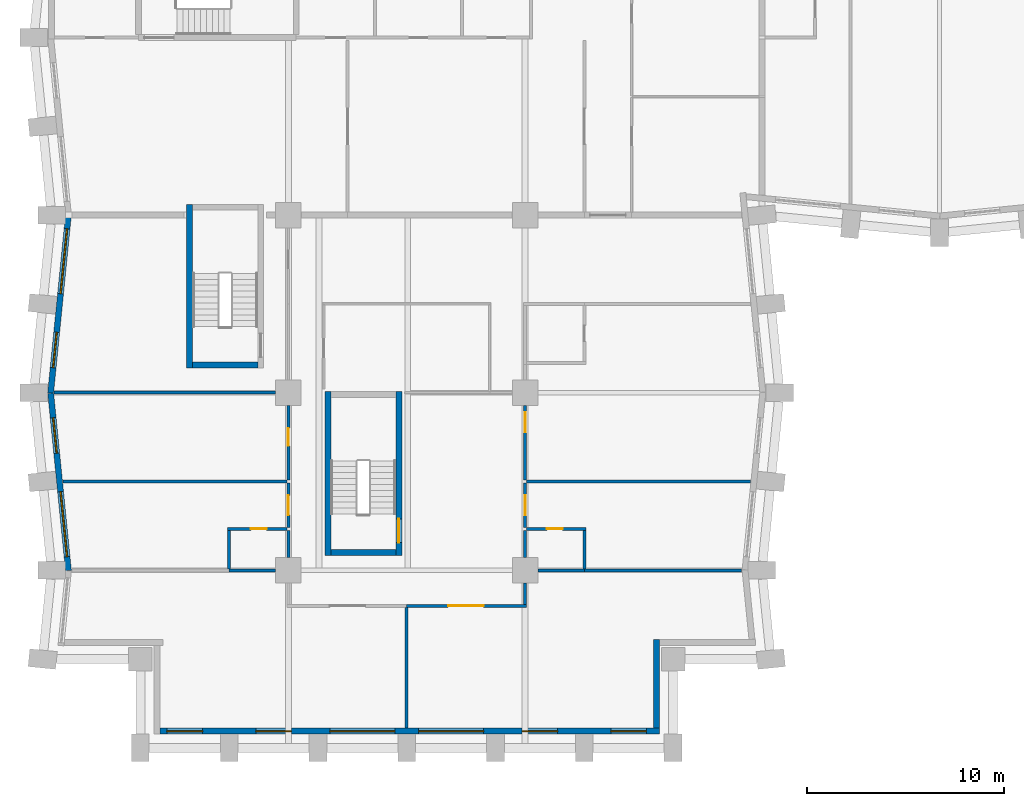
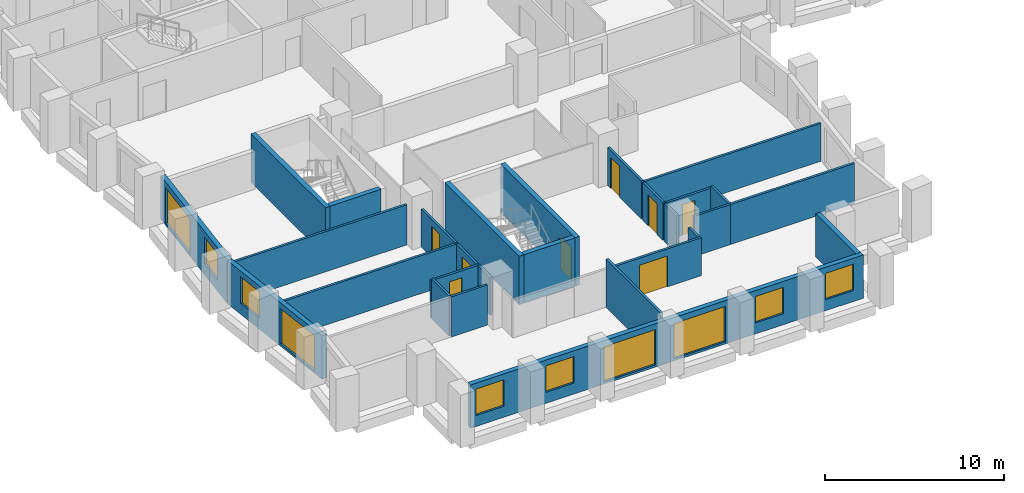
# One storey, part 3 of 12: 28 walls, 10 windows, 8 doors, 18 openings.
"""IFC4 building model written with IfcOpenShell, lengths in metres."""

from ifc_helpers import new_model, si_unit, direction, frame, frame_2d, origin, place, context, subcontext, project, spatial, rectangle, extrude, material, layer, layer_set, type_object, element, fill, save


model = new_model("IFC4")

# Units and contexts
model_context = context("Model", 3, precision=1e-05, world=origin(), true_north=direction((0.0, 1.0)))
body_context = subcontext(model_context, "Body", "Model", "MODEL_VIEW")
ifc_project = project(units=[si_unit("LENGTHUNIT", "METRE"), si_unit("AREAUNIT", "SQUARE_METRE"), si_unit("VOLUMEUNIT", "CUBIC_METRE"), si_unit("PLANEANGLEUNIT", "RADIAN"), si_unit("MASSUNIT", "GRAM", prefix="KILO")], contexts=[model_context])

# Site, building, storey
site_placement = place(None, origin())
site = spatial("IfcSite", under=ifc_project, at=site_placement, CompositionType="ELEMENT")
building_placement = place(site_placement, origin())
building = spatial("IfcBuilding", under=site, at=building_placement, Name="Brondeck Convention Tower", CompositionType="ELEMENT")
storey_placement = place(building_placement, frame((0.0, 0.0, 59.10009765625)))
storey = spatial("IfcBuildingStorey", under=building, at=storey_placement, Name="L12", CompositionType="ELEMENT", Elevation=59.10009765625)

# Wall, openings, windows
ifc_material_1 = material(Name="Precast concrete C50/60 bronze finish", Category="concrete")
ifc_layer_1 = layer(ifc_material_1, 0.070068359375, Name="Bronze precast facing")
ifc_material_2 = material(Name="Mineral wool")
ifc_layer_2 = layer(ifc_material_2, 0.159912109375, Name="Insulation")
ifc_material_3 = material(Name="Concrete C35/45", Category="concrete")
ifc_layer_3 = layer(ifc_material_3, 0.070068359375, Name="Backing")
ifc_layer_set_1 = layer_set([ifc_layer_1, ifc_layer_2, ifc_layer_3], Name="External infill wall, precast concrete C50/60 bronze facing")
wall_type_1 = type_object("IfcWallType", Name="External infill wall, precast concrete C50/60 bronze facing", PredefinedType="SOLIDWALL", material=ifc_layer_set_1)
wall_1_placement = place(storey_placement, frame((30.800048828125, 0.85009765625, 0.0), z_axis=(0.0, 0.0, 1.0), x_axis=(-1.0, 0.0, 0.0)))
wall_1 = element("IfcWall", 1, at=wall_1_placement, inside=storey, type_object=wall_type_1, Name="ENV-EW-L12-P0-B-S0-01", PredefinedType="SOLIDWALL", context=body_context, shape_type="SweptSolid", body=[
    extrude(rectangle(XDim=25.300048828125, YDim=0.300048828125, at=frame_2d((12.64990234375, 0.0))), origin(), (0.0, 0.0, 1.0), 2.949951171875),
])
opening_1_placement = place(wall_1_placement, frame((0.64990234375, 0.0, 0.75)))
opening_1 = element("IfcOpeningElement", 2, at=opening_1_placement, cuts=wall_1, Name="Opening W10", PredefinedType="OPENING", context=body_context, shape_type="SweptSolid", body=[
    extrude(rectangle(XDim=1.800048828125, YDim=1.800048828125, at=frame_2d((0.89990234375, 0.89990234375))), frame((0.0, 0.159912109375, 0.0), z_axis=(0.0, -1.0, 0.0), x_axis=(1.0, 0.0, 0.0)), (0.0, 0.0, 1.0), 0.320068359375),
])
opening_2_placement = place(wall_1_placement, frame((5.14990234375, 0.0, 0.75)))
opening_2 = element("IfcOpeningElement", 3, at=opening_2_placement, cuts=wall_1, Name="Opening W10", PredefinedType="OPENING", context=body_context, shape_type="SweptSolid", body=[
    extrude(rectangle(XDim=1.800048828125, YDim=1.800048828125, at=frame_2d((0.89990234375, 0.89990234375))), frame((0.0, 0.159912109375, 0.0), z_axis=(0.0, -1.0, 0.0), x_axis=(1.0, 0.0, 0.0)), (0.0, 0.0, 1.0), 0.320068359375),
])
opening_3_placement = place(wall_1_placement, frame((8.89990234375, 0.0, 0.14990234375)))
opening_3 = element("IfcOpeningElement", 4, at=opening_3_placement, cuts=wall_1, Name="Opening W9", PredefinedType="OPENING", context=body_context, shape_type="SweptSolid", body=[
    extrude(rectangle(XDim=3.300048828125, YDim=2.39990234375, at=frame_2d((1.64990234375, 1.199951171875))), frame((0.0, 0.159912109375, 0.0), z_axis=(0.0, -1.0, 0.0), x_axis=(1.0, 0.0, 0.0)), (0.0, 0.0, 1.0), 0.320068359375),
])
opening_4_placement = place(wall_1_placement, frame((13.39990234375, 0.0, 0.14990234375)))
opening_4 = element("IfcOpeningElement", 5, at=opening_4_placement, cuts=wall_1, Name="Opening W9", PredefinedType="OPENING", context=body_context, shape_type="SweptSolid", body=[
    extrude(rectangle(XDim=3.300048828125, YDim=2.39990234375, at=frame_2d((1.64990234375, 1.199951171875))), frame((0.0, 0.159912109375, 0.0), z_axis=(0.0, -1.0, 0.0), x_axis=(1.0, 0.0, 0.0)), (0.0, 0.0, 1.0), 0.320068359375),
])
opening_5_placement = place(wall_1_placement, frame((18.64990234375, 0.0, 0.75)))
opening_5 = element("IfcOpeningElement", 6, at=opening_5_placement, cuts=wall_1, Name="Opening W10", PredefinedType="OPENING", context=body_context, shape_type="SweptSolid", body=[
    extrude(rectangle(XDim=1.800048828125, YDim=1.800048828125, at=frame_2d((0.89990234375, 0.89990234375))), frame((0.0, 0.159912109375, 0.0), z_axis=(0.0, -1.0, 0.0), x_axis=(1.0, 0.0, 0.0)), (0.0, 0.0, 1.0), 0.320068359375),
])
opening_6_placement = place(wall_1_placement, frame((23.14990234375, 0.0, 0.75)))
opening_6 = element("IfcOpeningElement", 7, at=opening_6_placement, cuts=wall_1, Name="Opening W10", PredefinedType="OPENING", context=body_context, shape_type="SweptSolid", body=[
    extrude(rectangle(XDim=1.800048828125, YDim=1.800048828125, at=frame_2d((0.89990234375, 0.89990234375))), frame((0.0, 0.159912109375, 0.0), z_axis=(0.0, -1.0, 0.0), x_axis=(1.0, 0.0, 0.0)), (0.0, 0.0, 1.0), 0.320068359375),
])
ifc_material_4 = material(Name="Bronze tinted double glazing", Category="glass")
window_type_1 = type_object("IfcWindowType", Name="Glazed flute window, bronze tinted", PartitioningType="SINGLE_PANEL", PredefinedType="WINDOW", material=ifc_material_4)
window_1_placement = place(opening_3_placement, origin())
window_1 = element("IfcWindow", 8, at=window_1_placement, inside=storey, type_object=window_type_1, Name="ENV-WN-L12-P0-B-S0-04", OverallHeight=2.39990234375, OverallWidth=3.300048828125, PartitioningType="SINGLE_PANEL", PredefinedType="WINDOW", context=body_context, shape_type="SweptSolid", body=[
    extrude(rectangle(XDim=3.300048828125, YDim=2.39990234375, at=frame_2d((1.64990234375, 1.199951171875))), frame((0.0, 0.030029296875, 0.0), z_axis=(0.0, -1.0, 0.0), x_axis=(1.0, 0.0, 0.0)), (0.0, 0.0, 1.0), 0.06005859375),
])
fill(opening_3, window_1)
window_2_placement = place(opening_4_placement, origin())
window_2 = element("IfcWindow", 9, at=window_2_placement, inside=storey, type_object=window_type_1, Name="ENV-WN-L12-P0-B-S0-03", OverallHeight=2.39990234375, OverallWidth=3.300048828125, PartitioningType="SINGLE_PANEL", PredefinedType="WINDOW", context=body_context, shape_type="SweptSolid", body=[
    extrude(rectangle(XDim=3.300048828125, YDim=2.39990234375, at=frame_2d((1.64990234375, 1.199951171875))), frame((0.0, 0.030029296875, 0.0), z_axis=(0.0, -1.0, 0.0), x_axis=(1.0, 0.0, 0.0)), (0.0, 0.0, 1.0), 0.06005859375),
])
fill(opening_4, window_2)
window_type_2 = type_object("IfcWindowType", Name="Punched window, bronze tinted", PartitioningType="SINGLE_PANEL", PredefinedType="WINDOW", material=ifc_material_4)
window_3_placement = place(opening_1_placement, origin())
window_3 = element("IfcWindow", 10, at=window_3_placement, inside=storey, type_object=window_type_2, Name="ENV-WN-L12-P0-B-S0-06", OverallHeight=1.800048828125, OverallWidth=1.800048828125, PartitioningType="SINGLE_PANEL", PredefinedType="WINDOW", context=body_context, shape_type="SweptSolid", body=[
    extrude(rectangle(XDim=1.800048828125, YDim=1.800048828125, at=frame_2d((0.89990234375, 0.89990234375))), frame((0.0, 0.030029296875, 0.0), z_axis=(0.0, -1.0, 0.0), x_axis=(1.0, 0.0, 0.0)), (0.0, 0.0, 1.0), 0.06005859375),
])
fill(opening_1, window_3)
window_4_placement = place(opening_2_placement, origin())
window_4 = element("IfcWindow", 11, at=window_4_placement, inside=storey, type_object=window_type_2, Name="ENV-WN-L12-P0-B-S0-05", OverallHeight=1.800048828125, OverallWidth=1.800048828125, PartitioningType="SINGLE_PANEL", PredefinedType="WINDOW", context=body_context, shape_type="SweptSolid", body=[
    extrude(rectangle(XDim=1.800048828125, YDim=1.800048828125, at=frame_2d((0.89990234375, 0.89990234375))), frame((0.0, 0.030029296875, 0.0), z_axis=(0.0, -1.0, 0.0), x_axis=(1.0, 0.0, 0.0)), (0.0, 0.0, 1.0), 0.06005859375),
])
fill(opening_2, window_4)
window_5_placement = place(opening_5_placement, origin())
window_5 = element("IfcWindow", 12, at=window_5_placement, inside=storey, type_object=window_type_2, Name="ENV-WN-L12-P0-B-S0-02", OverallHeight=1.800048828125, OverallWidth=1.800048828125, PartitioningType="SINGLE_PANEL", PredefinedType="WINDOW", context=body_context, shape_type="SweptSolid", body=[
    extrude(rectangle(XDim=1.800048828125, YDim=1.800048828125, at=frame_2d((0.89990234375, 0.89990234375))), frame((0.0, 0.030029296875, 0.0), z_axis=(0.0, -1.0, 0.0), x_axis=(1.0, 0.0, 0.0)), (0.0, 0.0, 1.0), 0.06005859375),
])
fill(opening_5, window_5)
window_6_placement = place(opening_6_placement, origin())
window_6 = element("IfcWindow", 13, at=window_6_placement, inside=storey, type_object=window_type_2, Name="ENV-WN-L12-P0-B-S0-01", OverallHeight=1.800048828125, OverallWidth=1.800048828125, PartitioningType="SINGLE_PANEL", PredefinedType="WINDOW", context=body_context, shape_type="SweptSolid", body=[
    extrude(rectangle(XDim=1.800048828125, YDim=1.800048828125, at=frame_2d((0.89990234375, 0.89990234375))), frame((0.0, 0.030029296875, 0.0), z_axis=(0.0, -1.0, 0.0), x_axis=(1.0, 0.0, 0.0)), (0.0, 0.0, 1.0), 0.06005859375),
])
fill(opening_6, window_6)

# Wall
wall_2_placement = place(storey_placement, frame((30.64990234375, 5.5, 0.0), z_axis=(0.0, 0.0, 1.0), x_axis=(0.0, -1.0, 0.0)))
element("IfcWall", 14, at=wall_2_placement, inside=storey, type_object=wall_type_1, Name="ENV-EW-L12-P0-NC-SEB0-01", PredefinedType="SOLIDWALL", context=body_context, shape_type="SweptSolid", body=[
    extrude(rectangle(XDim=4.501953125, YDim=0.300048828125, at=frame_2d((2.2509765625, 0.0))), origin(), (0.0, 0.0, 1.0), 2.949951171875),
])

# Wall, openings, windows
wall_3_placement = place(storey_placement, frame((-0.04736328125, 17.985107421875, 0.0), z_axis=(0.0, 0.0, 1.0), x_axis=(0.099522457379, 0.995035316196, 0.0)))
wall_3 = element("IfcWall", 15, at=wall_3_placement, inside=storey, type_object=wall_type_1, Name="ENV-EW-L12-P0-B-W-08", PredefinedType="SOLIDWALL", context=body_context, shape_type="SweptSolid", body=[
    extrude(rectangle(XDim=9.030029296875, YDim=0.300048828125, at=frame_2d((4.51513671875, 0.0))), origin(), (0.0, 0.0, 1.0), 2.949951171875),
])
opening_7_placement = place(wall_3_placement, frame((1.291259765625, 0.0, 0.75)))
opening_7 = element("IfcOpeningElement", 16, at=opening_7_placement, cuts=wall_3, Name="Opening W10", PredefinedType="OPENING", context=body_context, shape_type="SweptSolid", body=[
    extrude(rectangle(XDim=1.800048828125, YDim=1.800048828125, at=frame_2d((0.89990234375, 0.89990234375))), frame((0.0, 0.159912109375, 0.0), z_axis=(0.0, -1.0, 0.0), x_axis=(1.0, 0.0, 0.0)), (0.0, 0.0, 1.0), 0.320068359375),
])
opening_8_placement = place(wall_3_placement, frame((5.063720703125, 0.0, 0.14990234375)))
opening_8 = element("IfcOpeningElement", 17, at=opening_8_placement, cuts=wall_3, Name="Opening W9", PredefinedType="OPENING", context=body_context, shape_type="SweptSolid", body=[
    extrude(rectangle(XDim=3.300048828125, YDim=2.39990234375, at=frame_2d((1.64990234375, 1.199951171875))), frame((0.0, 0.159912109375, 0.0), z_axis=(0.0, -1.0, 0.0), x_axis=(1.0, 0.0, 0.0)), (0.0, 0.0, 1.0), 0.320068359375),
])
window_7_placement = place(opening_8_placement, origin())
window_7 = element("IfcWindow", 18, at=window_7_placement, inside=storey, type_object=window_type_1, Name="ENV-WN-L12-P0-B-W-08", OverallHeight=2.39990234375, OverallWidth=3.300048828125, PartitioningType="SINGLE_PANEL", PredefinedType="WINDOW", context=body_context, shape_type="SweptSolid", body=[
    extrude(rectangle(XDim=3.300048828125, YDim=2.39990234375, at=frame_2d((1.64990234375, 1.199951171875))), frame((0.0, 0.030029296875, 0.0), z_axis=(0.0, -1.0, 0.0), x_axis=(1.0, 0.0, 0.0)), (0.0, 0.0, 1.0), 0.06005859375),
])
fill(opening_8, window_7)
window_8_placement = place(opening_7_placement, origin())
window_8 = element("IfcWindow", 19, at=window_8_placement, inside=storey, type_object=window_type_2, Name="ENV-WN-L12-P0-B-W-09", OverallHeight=1.800048828125, OverallWidth=1.800048828125, PartitioningType="SINGLE_PANEL", PredefinedType="WINDOW", context=body_context, shape_type="SweptSolid", body=[
    extrude(rectangle(XDim=1.800048828125, YDim=1.800048828125, at=frame_2d((0.89990234375, 0.89990234375))), frame((0.0, 0.030029296875, 0.0), z_axis=(0.0, -1.0, 0.0), x_axis=(1.0, 0.0, 0.0)), (0.0, 0.0, 1.0), 0.06005859375),
])
fill(opening_7, window_8)

wall_4_placement = place(storey_placement, frame((0.855712890625, 8.985107421875, 0.0), z_axis=(0.0, 0.0, 1.0), x_axis=(-0.099495688264, 0.995037993253, 0.0)))
wall_4 = element("IfcWall", 20, at=wall_4_placement, inside=storey, type_object=wall_type_1, Name="ENV-EW-L12-P0-B-W-10", PredefinedType="SOLIDWALL", context=body_context, shape_type="SweptSolid", body=[
    extrude(rectangle(XDim=9.030029296875, YDim=0.300048828125, at=frame_2d((4.51513671875, 0.0))), origin(), (0.0, 0.0, 1.0), 2.949951171875),
])
opening_9_placement = place(wall_4_placement, frame((0.711181640625, 0.0, 0.14990234375)))
opening_9 = element("IfcOpeningElement", 21, at=opening_9_placement, cuts=wall_4, Name="Opening W9", PredefinedType="OPENING", context=body_context, shape_type="SweptSolid", body=[
    extrude(rectangle(XDim=3.300048828125, YDim=2.39990234375, at=frame_2d((1.64990234375, 1.199951171875))), frame((0.0, 0.159912109375, 0.0), z_axis=(0.0, -1.0, 0.0), x_axis=(1.0, 0.0, 0.0)), (0.0, 0.0, 1.0), 0.320068359375),
])
opening_10_placement = place(wall_4_placement, frame((5.983642578125, 0.0, 0.75)))
opening_10 = element("IfcOpeningElement", 22, at=opening_10_placement, cuts=wall_4, Name="Opening W10", PredefinedType="OPENING", context=body_context, shape_type="SweptSolid", body=[
    extrude(rectangle(XDim=1.800048828125, YDim=1.800048828125, at=frame_2d((0.89990234375, 0.89990234375))), frame((0.0, 0.159912109375, 0.0), z_axis=(0.0, -1.0, 0.0), x_axis=(1.0, 0.0, 0.0)), (0.0, 0.0, 1.0), 0.320068359375),
])
window_9_placement = place(opening_9_placement, origin())
window_9 = element("IfcWindow", 23, at=window_9_placement, inside=storey, type_object=window_type_1, Name="ENV-WN-L12-P0-B-W-11", OverallHeight=2.39990234375, OverallWidth=3.300048828125, PartitioningType="SINGLE_PANEL", PredefinedType="WINDOW", context=body_context, shape_type="SweptSolid", body=[
    extrude(rectangle(XDim=3.300048828125, YDim=2.39990234375, at=frame_2d((1.64990234375, 1.199951171875))), frame((0.0, 0.030029296875, 0.0), z_axis=(0.0, -1.0, 0.0), x_axis=(1.0, 0.0, 0.0)), (0.0, 0.0, 1.0), 0.06005859375),
])
fill(opening_9, window_9)
window_10_placement = place(opening_10_placement, origin())
window_10 = element("IfcWindow", 24, at=window_10_placement, inside=storey, type_object=window_type_2, Name="ENV-WN-L12-P0-B-W-10", OverallHeight=1.800048828125, OverallWidth=1.800048828125, PartitioningType="SINGLE_PANEL", PredefinedType="WINDOW", context=body_context, shape_type="SweptSolid", body=[
    extrude(rectangle(XDim=1.800048828125, YDim=1.800048828125, at=frame_2d((0.89990234375, 0.89990234375))), frame((0.0, 0.030029296875, 0.0), z_axis=(0.0, -1.0, 0.0), x_axis=(1.0, 0.0, 0.0)), (0.0, 0.0, 1.0), 0.06005859375),
])
fill(opening_10, window_10)

# Wall
ifc_material_5 = material(Name="Double gypsum board acoustic wall")
ifc_layer_4 = layer(ifc_material_5, 0.14990234375)
ifc_layer_set_2 = layer_set([ifc_layer_4], Name="Guest room party wall 150")
wall_type_2 = type_object("IfcWallType", Name="Guest room party wall 150", PredefinedType="PARTITIONING", material=ifc_layer_set_2)
wall_5_placement = place(storey_placement, frame((18.0, 7.125, 0.0), z_axis=(0.0, 0.0, 1.0), x_axis=(0.0, -1.0, 0.0)))
element("IfcWall", 25, at=wall_5_placement, inside=storey, type_object=wall_type_2, Name="FLR-L12-W001", PredefinedType="PARTITIONING", context=body_context, shape_type="SweptSolid", body=[
    extrude(rectangle(XDim=6.10498046875, YDim=0.14990234375, at=frame_2d((3.052490234375, 0.0))), origin(), (0.0, 0.0, 1.0), 3.27978515625),
])

# Wall, opening, door
wall_6_placement = place(storey_placement, frame((24.074951171875, 7.199951171875, 0.0), z_axis=(0.0, 0.0, 1.0), x_axis=(-1.0, 0.0, 0.0)))
wall_6 = element("IfcWall", 26, at=wall_6_placement, inside=storey, type_object=wall_type_2, Name="FLR-L12-W003", PredefinedType="PARTITIONING", context=body_context, shape_type="SweptSolid", body=[
    extrude(rectangle(XDim=6.074951171875, YDim=0.14990234375, at=frame_2d((3.03759765625, 0.0))), origin(), (0.0, 0.0, 1.0), 2.579833984375),
])
opening_11_placement = place(wall_6_placement, frame((2.175048828125, 0.0, 0.0)))
opening_11 = element("IfcOpeningElement", 27, at=opening_11_placement, cuts=wall_6, Name="Opening H3-032", PredefinedType="OPENING", context=body_context, shape_type="SweptSolid", body=[
    extrude(rectangle(XDim=1.800048828125, YDim=2.10009765625, at=frame_2d((0.89990234375, 1.050048828125))), frame((0.0, 0.0849609375, 0.0), z_axis=(0.0, -1.0, 0.0), x_axis=(1.0, 0.0, 0.0)), (0.0, 0.0, 1.0), 0.169921875),
])
ifc_material_6 = material(Name="Glazed timber double door", Category="wood")
door_type_1 = type_object("IfcDoorType", Name="Double door 1800", OperationType="DOUBLE_DOOR_SINGLE_SWING", PredefinedType="DOOR", material=ifc_material_6)
door_1_placement = place(opening_11_placement, origin())
door_1 = element("IfcDoor", 28, at=door_1_placement, inside=storey, type_object=door_type_1, Name="Door H3-032", OperationType="DOUBLE_DOOR_SINGLE_SWING", OverallHeight=2.10009765625, OverallWidth=1.800048828125, PredefinedType="DOOR", context=body_context, shape_type="SweptSolid", body=[
    extrude(rectangle(XDim=1.800048828125, YDim=2.10009765625, at=frame_2d((0.89990234375, 1.050048828125))), frame((0.0, 0.02490234375, 0.0), z_axis=(0.0, -1.0, 0.0), x_axis=(1.0, 0.0, 0.0)), (0.0, 0.0, 1.0), 0.050048828125),
])
fill(opening_11, door_1)

# Walls
wall_7_placement = place(storey_placement, frame((24.0, 8.344970703125, 0.0), z_axis=(0.0, 0.0, 1.0), x_axis=(0.0, -1.0, 0.0)))
element("IfcWall", 29, at=wall_7_placement, inside=storey, type_object=wall_type_2, Name="FLR-L12-W005", PredefinedType="PARTITIONING", context=body_context, shape_type="SweptSolid", body=[
    extrude(rectangle(XDim=1.070068359375, YDim=0.14990234375, at=frame_2d((0.53515625, 0.0))), origin(), (0.0, 0.0, 1.0), 2.579833984375),
])
for number, where, z_axis, x_axis, name in (
    (30, (11.344970703125, 9.0, 0.0), (0.0, 0.0, 1.0), (-1.0, 0.0, 0.0), "FLR-L12-W007"),
    (31, (27.0, 9.0, 0.0), (0.0, 0.0, 1.0), (-1.0, 0.0, 0.0), "FLR-L12-W008"),
):
    element("IfcWall", number, at=place(storey_placement, frame(where, z_axis=z_axis, x_axis=x_axis)), inside=storey, type_object=wall_type_2, Name=name, PredefinedType="PARTITIONING", context=body_context, shape_type="SweptSolid", body=[
        extrude(rectangle(XDim=2.344970703125, YDim=0.14990234375, at=frame_2d((1.17236328125, 0.0))), origin(), (0.0, 0.0, 1.0), 2.72998046875),
    ])
wall_8_placement = place(storey_placement, frame((34.97509765625, 9.0, 0.0), z_axis=(0.0, 0.0, 1.0), x_axis=(-1.0, 0.0, 0.0)))
element("IfcWall", 32, at=wall_8_placement, inside=storey, type_object=wall_type_2, Name="FLR-L12-W009", PredefinedType="PARTITIONING", context=body_context, shape_type="SweptSolid", body=[
    extrude(rectangle(XDim=7.97509765625, YDim=0.14990234375, at=frame_2d((3.987548828125, 0.0))), origin(), (0.0, 0.0, 1.0), 2.72998046875),
])
wall_9_placement = place(storey_placement, frame((27.0, 9.074951171875, 0.0), z_axis=(0.0, 0.0, 1.0), x_axis=(0.0, 1.0, 0.0)))
element("IfcWall", 33, at=wall_9_placement, inside=storey, type_object=wall_type_2, Name="FLR-L12-W010", PredefinedType="PARTITIONING", context=body_context, shape_type="SweptSolid", body=[
    extrude(rectangle(XDim=1.949951171875, YDim=0.14990234375, at=frame_2d((0.97509765625, 0.0))), origin(), (0.0, 0.0, 1.0), 2.72998046875),
])
wall_10_placement = place(storey_placement, frame((12.0, 9.655029296875, 0.0), z_axis=(0.0, 0.0, 1.0), x_axis=(0.0, 1.0, 0.0)))
element("IfcWall", 34, at=wall_10_placement, inside=storey, type_object=wall_type_2, Name="FLR-L12-W011", PredefinedType="PARTITIONING", context=body_context, shape_type="SweptSolid", body=[
    extrude(rectangle(XDim=1.369873046875, YDim=0.14990234375, at=frame_2d((0.68505859375, 0.0))), origin(), (0.0, 0.0, 1.0), 2.579833984375),
])
wall_11_placement = place(storey_placement, frame((9.0, 11.02490234375, 0.0), z_axis=(0.0, 0.0, 1.0), x_axis=(0.0, -1.0, 0.0)))
element("IfcWall", 35, at=wall_11_placement, inside=storey, type_object=wall_type_2, Name="FLR-L12-W012", PredefinedType="PARTITIONING", context=body_context, shape_type="SweptSolid", body=[
    extrude(rectangle(XDim=1.949951171875, YDim=0.14990234375, at=frame_2d((0.97509765625, 0.0))), origin(), (0.0, 0.0, 1.0), 2.72998046875),
])
wall_12_placement = place(storey_placement, frame((24.0, 11.02490234375, 0.0), z_axis=(0.0, 0.0, 1.0), x_axis=(0.0, -1.0, 0.0)))
element("IfcWall", 36, at=wall_12_placement, inside=storey, type_object=wall_type_2, Name="FLR-L12-W013", PredefinedType="PARTITIONING", context=body_context, shape_type="SweptSolid", body=[
    extrude(rectangle(XDim=1.369873046875, YDim=0.14990234375, at=frame_2d((0.68505859375, 0.0))), origin(), (0.0, 0.0, 1.0), 2.579833984375),
])

# Wall, opening, door
wall_13_placement = place(storey_placement, frame((11.925048828125, 11.10009765625, 0.0), z_axis=(0.0, 0.0, 1.0), x_axis=(-1.0, 0.0, 0.0)))
wall_13 = element("IfcWall", 37, at=wall_13_placement, inside=storey, type_object=wall_type_2, Name="FLR-L12-W014", PredefinedType="PARTITIONING", context=body_context, shape_type="SweptSolid", body=[
    extrude(rectangle(XDim=3.0, YDim=0.14990234375, at=frame_2d((1.5, 0.0))), origin(), (0.0, 0.0, 1.0), 2.579833984375),
])
opening_12_placement = place(wall_13_placement, frame((1.02490234375, 0.0, 0.0)))
opening_12 = element("IfcOpeningElement", 38, at=opening_12_placement, cuts=wall_13, Name="Opening H3-025", PredefinedType="OPENING", context=body_context, shape_type="SweptSolid", body=[
    extrude(rectangle(XDim=0.800048828125, YDim=2.10009765625, at=frame_2d((0.39990234375, 1.050048828125))), frame((0.0, 0.0849609375, 0.0), z_axis=(0.0, -1.0, 0.0), x_axis=(1.0, 0.0, 0.0)), (0.0, 0.0, 1.0), 0.169921875),
])
ifc_material_7 = material(Name="Solid timber door leaf", Category="wood")
door_type_2 = type_object("IfcDoorType", Name="En-suite door 800", OperationType="NOTDEFINED", PredefinedType="DOOR", material=ifc_material_7)
door_2_placement = place(opening_12_placement, origin())
door_2 = element("IfcDoor", 39, at=door_2_placement, inside=storey, type_object=door_type_2, Name="Door H3-025", OperationType="SINGLE_SWING_LEFT", OverallHeight=2.10009765625, OverallWidth=0.800048828125, PredefinedType="DOOR", context=body_context, shape_type="SweptSolid", body=[
    extrude(rectangle(XDim=0.800048828125, YDim=2.10009765625, at=frame_2d((0.39990234375, 1.050048828125))), frame((0.0, 0.02490234375, 0.0), z_axis=(0.0, -1.0, 0.0), x_axis=(1.0, 0.0, 0.0)), (0.0, 0.0, 1.0), 0.050048828125),
])
fill(opening_12, door_2)

wall_14_placement = place(storey_placement, frame((27.074951171875, 11.10009765625, 0.0), z_axis=(0.0, 0.0, 1.0), x_axis=(-1.0, 0.0, 0.0)))
wall_14 = element("IfcWall", 40, at=wall_14_placement, inside=storey, type_object=wall_type_2, Name="FLR-L12-W015", PredefinedType="PARTITIONING", context=body_context, shape_type="SweptSolid", body=[
    extrude(rectangle(XDim=3.0, YDim=0.14990234375, at=frame_2d((1.5, 0.0))), origin(), (0.0, 0.0, 1.0), 2.579833984375),
])
opening_13_placement = place(wall_14_placement, frame((1.175048828125, 0.0, 0.0)))
opening_13 = element("IfcOpeningElement", 41, at=opening_13_placement, cuts=wall_14, Name="Opening H3-029", PredefinedType="OPENING", context=body_context, shape_type="SweptSolid", body=[
    extrude(rectangle(XDim=0.800048828125, YDim=2.10009765625, at=frame_2d((0.39990234375, 1.050048828125))), frame((0.0, 0.0849609375, 0.0), z_axis=(0.0, -1.0, 0.0), x_axis=(1.0, 0.0, 0.0)), (0.0, 0.0, 1.0), 0.169921875),
])
door_3_placement = place(opening_13_placement, origin())
door_3 = element("IfcDoor", 42, at=door_3_placement, inside=storey, type_object=door_type_2, Name="Door H3-029", OperationType="SINGLE_SWING_LEFT", OverallHeight=2.10009765625, OverallWidth=0.800048828125, PredefinedType="DOOR", context=body_context, shape_type="SweptSolid", body=[
    extrude(rectangle(XDim=0.800048828125, YDim=2.10009765625, at=frame_2d((0.39990234375, 1.050048828125))), frame((0.0, 0.02490234375, 0.0), z_axis=(0.0, -1.0, 0.0), x_axis=(1.0, 0.0, 0.0)), (0.0, 0.0, 1.0), 0.050048828125),
])
fill(opening_13, door_3)

wall_15_placement = place(storey_placement, frame((12.0, 11.175048828125, 0.0), z_axis=(0.0, 0.0, 1.0), x_axis=(0.0, 1.0, 0.0)))
wall_15 = element("IfcWall", 43, at=wall_15_placement, inside=storey, type_object=wall_type_2, Name="FLR-L12-W016", PredefinedType="PARTITIONING", context=body_context, shape_type="SweptSolid", body=[
    extrude(rectangle(XDim=2.25, YDim=0.14990234375, at=frame_2d((1.125, 0.0))), origin(), (0.0, 0.0, 1.0), 2.579833984375),
])
opening_14_placement = place(wall_15_placement, frame((0.625, 0.0, 0.0)))
opening_14 = element("IfcOpeningElement", 44, at=opening_14_placement, cuts=wall_15, Name="Opening H3-024", PredefinedType="OPENING", context=body_context, shape_type="SweptSolid", body=[
    extrude(rectangle(XDim=1.0, YDim=2.10009765625, at=frame_2d((0.5, 1.050048828125))), frame((0.0, 0.0849609375, 0.0), z_axis=(0.0, -1.0, 0.0), x_axis=(1.0, 0.0, 0.0)), (0.0, 0.0, 1.0), 0.169921875),
])
ifc_material_8 = material(Name="Solid timber fire door leaf", Category="wood")
door_type_3 = type_object("IfcDoorType", Name="Guest room door 1000", OperationType="NOTDEFINED", PredefinedType="DOOR", material=ifc_material_8)
door_4_placement = place(opening_14_placement, origin())
door_4 = element("IfcDoor", 45, at=door_4_placement, inside=storey, type_object=door_type_3, Name="Door H3-024", OperationType="SINGLE_SWING_LEFT", OverallHeight=2.10009765625, OverallWidth=1.0, PredefinedType="DOOR", context=body_context, shape_type="SweptSolid", body=[
    extrude(rectangle(XDim=1.0, YDim=2.10009765625, at=frame_2d((0.5, 1.050048828125))), frame((0.0, 0.02490234375, 0.0), z_axis=(0.0, -1.0, 0.0), x_axis=(1.0, 0.0, 0.0)), (0.0, 0.0, 1.0), 0.050048828125),
])
fill(opening_14, door_4)

wall_16_placement = place(storey_placement, frame((24.0, 13.425048828125, 0.0), z_axis=(0.0, 0.0, 1.0), x_axis=(0.0, -1.0, 0.0)))
wall_16 = element("IfcWall", 46, at=wall_16_placement, inside=storey, type_object=wall_type_2, Name="FLR-L12-W017", PredefinedType="PARTITIONING", context=body_context, shape_type="SweptSolid", body=[
    extrude(rectangle(XDim=2.25, YDim=0.14990234375, at=frame_2d((1.125, 0.0))), origin(), (0.0, 0.0, 1.0), 2.579833984375),
])
opening_15_placement = place(wall_16_placement, frame((0.625, 0.0, 0.0)))
opening_15 = element("IfcOpeningElement", 47, at=opening_15_placement, cuts=wall_16, Name="Opening H3-028", PredefinedType="OPENING", context=body_context, shape_type="SweptSolid", body=[
    extrude(rectangle(XDim=1.0, YDim=2.10009765625, at=frame_2d((0.5, 1.050048828125))), frame((0.0, 0.0849609375, 0.0), z_axis=(0.0, -1.0, 0.0), x_axis=(1.0, 0.0, 0.0)), (0.0, 0.0, 1.0), 0.169921875),
])
door_5_placement = place(opening_15_placement, origin())
door_5 = element("IfcDoor", 48, at=door_5_placement, inside=storey, type_object=door_type_3, Name="Door H3-028", OperationType="SINGLE_SWING_LEFT", OverallHeight=2.10009765625, OverallWidth=1.0, PredefinedType="DOOR", context=body_context, shape_type="SweptSolid", body=[
    extrude(rectangle(XDim=1.0, YDim=2.10009765625, at=frame_2d((0.5, 1.050048828125))), frame((0.0, 0.02490234375, 0.0), z_axis=(0.0, -1.0, 0.0), x_axis=(1.0, 0.0, 0.0)), (0.0, 0.0, 1.0), 0.050048828125),
])
fill(opening_15, door_5)

# Walls
for number, where, z_axis, x_axis, name in (
    (49, (11.925048828125, 13.5, 0.0), (0.0, 0.0, 1.0), (-1.0, 0.0, 0.0), "FLR-L12-W018"),
    (50, (35.425048828125, 13.5, 0.0), (0.0, 0.0, 1.0), (-1.0, 0.0, 0.0), "FLR-L12-W019"),
):
    element("IfcWall", number, at=place(storey_placement, frame(where, z_axis=z_axis, x_axis=x_axis)), inside=storey, type_object=wall_type_2, Name=name, PredefinedType="PARTITIONING", context=body_context, shape_type="SweptSolid", body=[
        extrude(rectangle(XDim=11.35009765625, YDim=0.14990234375, at=frame_2d((5.675048828125, 0.0))), origin(), (0.0, 0.0, 1.0), 2.579833984375),
    ])

# Wall, opening, door
wall_17_placement = place(storey_placement, frame((12.0, 13.574951171875, 0.0), z_axis=(0.0, 0.0, 1.0), x_axis=(0.0, 1.0, 0.0)))
wall_17 = element("IfcWall", 51, at=wall_17_placement, inside=storey, type_object=wall_type_2, Name="FLR-L12-W020", PredefinedType="PARTITIONING", context=body_context, shape_type="SweptSolid", body=[
    extrude(rectangle(XDim=3.77001953125, YDim=0.14990234375, at=frame_2d((1.885009765625, 0.0))), origin(), (0.0, 0.0, 1.0), 2.579833984375),
])
opening_16_placement = place(wall_17_placement, frame((1.72509765625, 0.0, 0.0)))
opening_16 = element("IfcOpeningElement", 52, at=opening_16_placement, cuts=wall_17, Name="Opening H3-023", PredefinedType="OPENING", context=body_context, shape_type="SweptSolid", body=[
    extrude(rectangle(XDim=0.89990234375, YDim=2.10009765625, at=frame_2d((0.449951171875, 1.050048828125))), frame((0.0, 0.0849609375, 0.0), z_axis=(0.0, -1.0, 0.0), x_axis=(1.0, 0.0, 0.0)), (0.0, 0.0, 1.0), 0.169921875),
])
door_type_4 = type_object("IfcDoorType", Name="Single door 900", OperationType="NOTDEFINED", PredefinedType="DOOR", material=ifc_material_7)
door_6_placement = place(opening_16_placement, origin())
door_6 = element("IfcDoor", 53, at=door_6_placement, inside=storey, type_object=door_type_4, Name="Door H3-023", OperationType="SINGLE_SWING_LEFT", OverallHeight=2.10009765625, OverallWidth=0.89990234375, PredefinedType="DOOR", context=body_context, shape_type="SweptSolid", body=[
    extrude(rectangle(XDim=0.89990234375, YDim=2.10009765625, at=frame_2d((0.449951171875, 1.050048828125))), frame((0.0, 0.02490234375, 0.0), z_axis=(0.0, -1.0, 0.0), x_axis=(1.0, 0.0, 0.0)), (0.0, 0.0, 1.0), 0.050048828125),
])
fill(opening_16, door_6)

wall_18_placement = place(storey_placement, frame((24.0, 17.344970703125, 0.0), z_axis=(0.0, 0.0, 1.0), x_axis=(0.0, -1.0, 0.0)))
wall_18 = element("IfcWall", 54, at=wall_18_placement, inside=storey, type_object=wall_type_2, Name="FLR-L12-W021", PredefinedType="PARTITIONING", context=body_context, shape_type="SweptSolid", body=[
    extrude(rectangle(XDim=3.77001953125, YDim=0.14990234375, at=frame_2d((1.885009765625, 0.0))), origin(), (0.0, 0.0, 1.0), 2.579833984375),
])
opening_17_placement = place(wall_18_placement, frame((0.344970703125, 0.0, 0.0)))
opening_17 = element("IfcOpeningElement", 55, at=opening_17_placement, cuts=wall_18, Name="Opening H3-026", PredefinedType="OPENING", context=body_context, shape_type="SweptSolid", body=[
    extrude(rectangle(XDim=1.0, YDim=2.10009765625, at=frame_2d((0.5, 1.050048828125))), frame((0.0, 0.0849609375, 0.0), z_axis=(0.0, -1.0, 0.0), x_axis=(1.0, 0.0, 0.0)), (0.0, 0.0, 1.0), 0.169921875),
])
door_7_placement = place(opening_17_placement, origin())
door_7 = element("IfcDoor", 56, at=door_7_placement, inside=storey, type_object=door_type_3, Name="Door H3-026", OperationType="SINGLE_SWING_RIGHT", OverallHeight=2.10009765625, OverallWidth=1.0, PredefinedType="DOOR", context=body_context, shape_type="SweptSolid", body=[
    extrude(rectangle(XDim=1.0, YDim=2.10009765625, at=frame_2d((0.5, 1.050048828125))), frame((0.0, 0.02490234375, 0.0), z_axis=(0.0, -1.0, 0.0), x_axis=(1.0, 0.0, 0.0)), (0.0, 0.0, 1.0), 0.050048828125),
])
fill(opening_17, door_7)

# Walls
wall_19_placement = place(storey_placement, frame((11.344970703125, 18.0, 0.0), z_axis=(0.0, 0.0, 1.0), x_axis=(-1.0, 0.0, 0.0)))
element("IfcWall", 57, at=wall_19_placement, inside=storey, type_object=wall_type_2, Name="FLR-L12-W022", PredefinedType="PARTITIONING", context=body_context, shape_type="SweptSolid", body=[
    extrude(rectangle(XDim=11.219970703125, YDim=0.14990234375, at=frame_2d((5.60986328125, 0.0))), origin(), (0.0, 0.0, 1.0), 2.72998046875),
])
ifc_material_9 = material(Name="Concrete C80/95", Category="concrete")
ifc_layer_5 = layer(ifc_material_9, 0.300048828125)
ifc_layer_set_3 = layer_set([ifc_layer_5], Name="Stair enclosure wall 300 Concrete C80/95")
wall_type_3 = type_object("IfcWallType", Name="Stair enclosure wall 300 Concrete C80/95", PredefinedType="SHEAR", material=ifc_layer_set_3)
for number, where, z_axis, x_axis, name in (
    (58, (14.14990234375, 9.89990234375, 0.0), (0.0, 0.0, 1.0), (1.0, 0.0, 0.0), "L12 core wall"),
    (59, (7.14990234375, 19.39990234375, 0.0), (0.0, 0.0, 1.0), (1.0, 0.0, 0.0), "L12 core wall"),
):
    element("IfcWall", number, at=place(storey_placement, frame(where, z_axis=z_axis, x_axis=x_axis)), inside=storey, type_object=wall_type_3, Name=name, PredefinedType="SHEAR", context=body_context, shape_type="SweptSolid", body=[
        extrude(rectangle(XDim=3.300048828125, YDim=0.300048828125, at=frame_2d((1.64990234375, 0.0))), origin(), (0.0, 0.0, 1.0), 3.2998046875),
    ])
for number, where, z_axis, x_axis, name in (
    (60, (7.0, 19.25, 0.0), (0.0, 0.0, 1.0), (0.0, 1.0, 0.0), "L12 core wall"),
    (61, (14.0, 9.75, 0.0), (0.0, 0.0, 1.0), (0.0, 1.0, 0.0), "L12 core wall"),
):
    element("IfcWall", number, at=place(storey_placement, frame(where, z_axis=z_axis, x_axis=x_axis)), inside=storey, type_object=wall_type_3, Name=name, PredefinedType="SHEAR", context=body_context, shape_type="SweptSolid", body=[
        extrude(rectangle(XDim=8.300048828125, YDim=0.300048828125, at=frame_2d((4.14990234375, 0.0))), origin(), (0.0, 0.0, 1.0), 3.2998046875),
    ])

# Wall, opening, door
wall_20_placement = place(storey_placement, frame((17.60009765625, 9.75, 0.0), z_axis=(0.0, 0.0, 1.0), x_axis=(0.0, 1.0, 0.0)))
wall_20 = element("IfcWall", 62, at=wall_20_placement, inside=storey, type_object=wall_type_3, Name="L12 core wall", PredefinedType="SHEAR", context=body_context, shape_type="SweptSolid", body=[
    extrude(rectangle(XDim=8.300048828125, YDim=0.300048828125, at=frame_2d((4.14990234375, 0.0))), origin(), (0.0, 0.0, 1.0), 3.2998046875),
])
opening_18_placement = place(wall_20_placement, frame((0.64990234375, 0.0, 0.0)))
opening_18 = element("IfcOpeningElement", 63, at=opening_18_placement, cuts=wall_20, Name="Opening C10-21", PredefinedType="OPENING", context=body_context, shape_type="SweptSolid", body=[
    extrude(rectangle(XDim=1.199951171875, YDim=2.199951171875, at=frame_2d((0.60009765625, 1.10009765625))), frame((0.0, 0.159912109375, 0.0), z_axis=(0.0, -1.0, 0.0), x_axis=(1.0, 0.0, 0.0)), (0.0, 0.0, 1.0), 0.320068359375),
])
ifc_material_10 = material(Name="Steel fire door", Category="steel")
door_type_5 = type_object("IfcDoorType", Name="Stair door 1200x2200 EI 90", OperationType="NOTDEFINED", PredefinedType="DOOR", material=ifc_material_10)
door_8_placement = place(opening_18_placement, origin())
door_8 = element("IfcDoor", 64, at=door_8_placement, inside=storey, type_object=door_type_5, Name="L12 Stair door ST-BF", OperationType="SINGLE_SWING_LEFT", OverallHeight=2.199951171875, OverallWidth=1.199951171875, PredefinedType="DOOR", context=body_context, shape_type="SweptSolid", body=[
    extrude(rectangle(XDim=1.199951171875, YDim=2.199951171875, at=frame_2d((0.60009765625, 1.10009765625))), frame((0.0, 0.02490234375, 0.0), z_axis=(0.0, -1.0, 0.0), x_axis=(1.0, 0.0, 0.0)), (0.0, 0.0, 1.0), 0.050048828125),
])
fill(opening_18, door_8)

save(model, "model.ifc")
